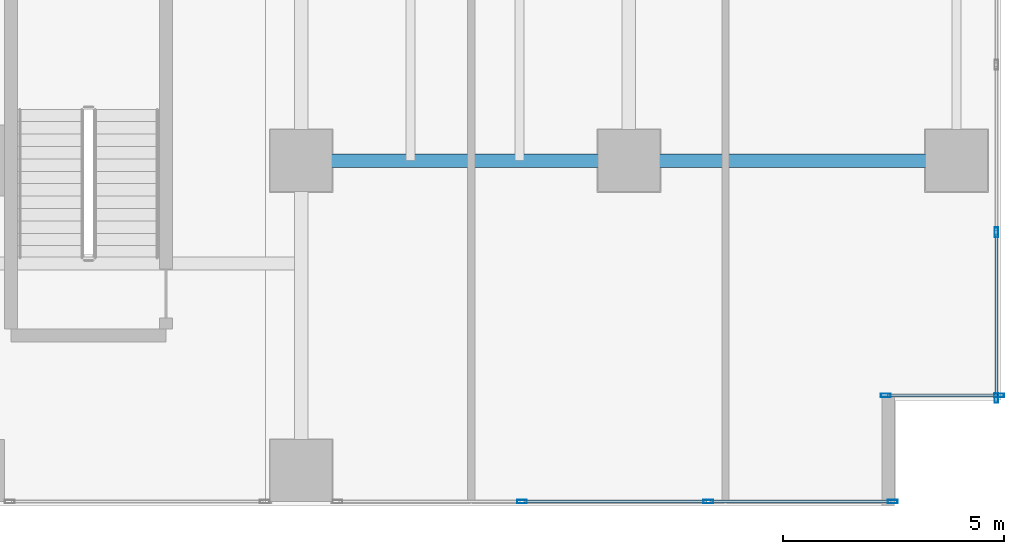
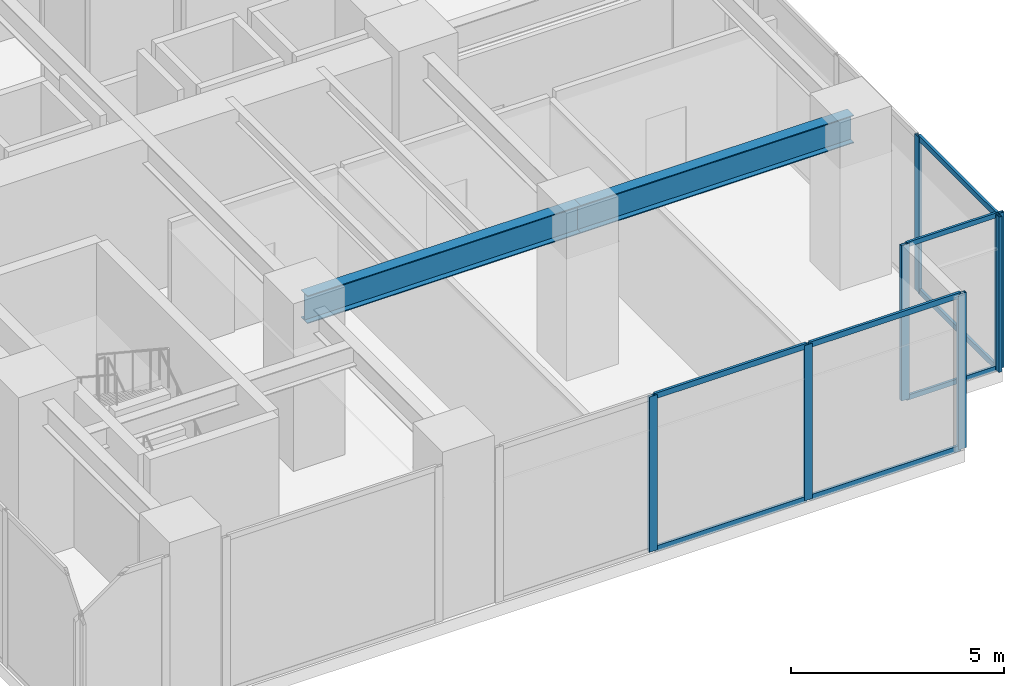
# One storey, part 18 of 33: 15 members, 2 beams, 3 elements without a shape of their own.
"""IFC4 building model written with IfcOpenShell, lengths in metres."""

from ifc_helpers import new_model, si_unit, direction, frame, origin, origin_2d, place, context, subcontext, project, spatial, hollow_rectangle, i_section, extrude, source, transform, mapped, material, layer, layer_set, material_profile, profile_set, type_object, type_shapes, element, aggregate, save


model = new_model("IFC4")

# Units and contexts
model_context = context("Model", 3, precision=1e-05, world=origin(), true_north=direction((0.0, 1.0)))
body_context = subcontext(model_context, "Body", "Model", "MODEL_VIEW")
ifc_project = project(units=[si_unit("LENGTHUNIT", "METRE"), si_unit("AREAUNIT", "SQUARE_METRE"), si_unit("VOLUMEUNIT", "CUBIC_METRE"), si_unit("PLANEANGLEUNIT", "RADIAN"), si_unit("MASSUNIT", "GRAM", prefix="KILO")], contexts=[model_context])

# Site, building, storey
site_placement = place(None, origin())
site = spatial("IfcSite", under=ifc_project, at=site_placement, CompositionType="ELEMENT")
building_placement = place(site_placement, origin())
building = spatial("IfcBuilding", under=site, at=building_placement, Name="Haelvirn Gate Laboratories", CompositionType="ELEMENT")
storey_placement = place(building_placement, frame((0.0, 0.0, 10.199951171875)))
storey = spatial("IfcBuildingStorey", under=building, at=storey_placement, Name="L03", CompositionType="ELEMENT", Elevation=10.199951171875)

# Beams
ifc_material_1 = material(Name="Steel SM420", Category="steel")
ifc_material_profile_1 = material_profile(ifc_material_1, i_section(OverallWidth=0.300048828125, OverallDepth=0.800048828125, WebThickness=0.013916015625, FlangeThickness=0.02587890625, at=origin_2d()), Name="H-800x300x14x26")
ifc_profile_set_1 = profile_set([ifc_material_profile_1], Name="Steel SM420")
beam_type = type_object("IfcBeamType", Name="BM-G-800", PredefinedType="BEAM", material=ifc_profile_set_1)
shared_shape_1 = source(origin(), body_context, "Body", "SweptSolid", [
    extrude(i_section(OverallWidth=0.300048828125, OverallDepth=0.800048828125, WebThickness=0.013916015625, FlangeThickness=0.02587890625, at=origin_2d()), origin(), (0.0, 0.0, 1.0), 7.400146484375),
])
beam_1_placement = place(storey_placement, frame((67.39990234375, 7.0, 4.050048828125), z_axis=(1.0, 0.0, 0.0), x_axis=(0.0, 1.0, 0.0)))
element("IfcBeam", 1, at=beam_1_placement, inside=storey, type_object=beam_type, Name="L03 Primary Girder Y7.0 (67.4-74.8)", PredefinedType="BEAM", context=body_context, shape_type="MappedRepresentation", body=[
    mapped(shared_shape_1, transform((0.0, 0.0, 0.0), scale=1.0)),
])
shared_shape_2 = source(origin(), body_context, "Body", "SweptSolid", [
    extrude(i_section(OverallWidth=0.300048828125, OverallDepth=0.800048828125, WebThickness=0.013916015625, FlangeThickness=0.02587890625, at=origin_2d()), origin(), (0.0, 0.0, 1.0), 7.39990234375),
])
type_shapes(beam_type, [shared_shape_1, shared_shape_2])
beam_2_placement = place(storey_placement, frame((60.0, 7.0, 4.050048828125), z_axis=(1.0, 0.0, 0.0), x_axis=(0.0, 1.0, 0.0)))
element("IfcBeam", 2, at=beam_2_placement, inside=storey, type_object=beam_type, Name="L03 Primary Girder Y7.0 (60.0-67.4)", PredefinedType="BEAM", context=body_context, shape_type="MappedRepresentation", body=[
    mapped(shared_shape_2, transform((0.0, 0.0, 0.0), scale=1.0)),
])

# Curtain wall, members
ifc_material_2 = material(Name="Anodised bronze unitised aluminium & triple low-E glass", Category="aluminium")
ifc_layer_1 = layer(ifc_material_2, 0.181884765625, Name="CW-SYS-5")
ifc_layer_set_1 = layer_set([ifc_layer_1], Name="Anodised bronze unitised aluminium & triple low-E glass")
curtain_wall_type_1 = type_object("IfcCurtainWallType", Name="CW-SYS-5", PredefinedType="NOTDEFINED", material=ifc_layer_set_1)
curtain_wall_1_placement = place(storey_placement, origin())
curtain_wall_1 = element("IfcCurtainWall", 3, at=curtain_wall_1_placement, inside=storey, type_object=curtain_wall_type_1, Name="L03 Unitised Curtain Wall CW-L03-P1-E02-1", PredefinedType="NOTDEFINED")
ifc_material_3 = material(Name="Extruded aluminium 6063-T6 (anodised bronze)", Category="aluminium")
ifc_material_profile_2 = material_profile(ifc_material_3, hollow_rectangle(XDim=0.06494140625, YDim=0.139892578125, WallThickness=0.00390625, at=origin_2d()), Name="CWT-140x65x4")
ifc_profile_set_2 = profile_set([ifc_material_profile_2], Name="Extruded aluminium 6063-T6 (anodised bronze)")
member_type_1 = type_object("IfcMemberType", Name="CWT-T140", PredefinedType="USERDEFINED", material=ifc_profile_set_2)
shared_shape_3 = source(origin(), body_context, "Body", "SweptSolid", [
    extrude(hollow_rectangle(XDim=0.06494140625, YDim=0.139892578125, WallThickness=0.00390625, at=origin_2d()), origin(), (0.0, 0.0, 1.0), 2.47998046875),
])
type_shapes(member_type_1, [shared_shape_3])
member_1_placement = place(storey_placement, frame((73.239990234375, 1.699951171875, 0.032470703125), z_axis=(1.0, 0.0, 0.0), x_axis=(0.0, 1.0, 0.0)))
member_1 = element("IfcMember", 4, at=member_1_placement, type_object=member_type_1, Name="CW5 transom 1.1", ObjectType="TRANSOM", PredefinedType="USERDEFINED", context=body_context, shape_type="MappedRepresentation", body=[
    mapped(shared_shape_3, transform((0.0, 0.0, 0.0), scale=1.0)),
])
member_2_placement = place(storey_placement, frame((73.239990234375, 1.699951171875, 4.41748046875), z_axis=(1.0, 0.0, 0.0), x_axis=(0.0, 1.0, 0.0)))
member_2 = element("IfcMember", 5, at=member_2_placement, type_object=member_type_1, Name="CW5 transom 1.2", ObjectType="TRANSOM", PredefinedType="USERDEFINED", context=body_context, shape_type="MappedRepresentation", body=[
    mapped(shared_shape_3, transform((0.0, 0.0, 0.0), scale=1.0)),
])

ifc_layer_2 = layer(ifc_material_2, 0.18798828125, Name="CW-SYS-1")
ifc_layer_set_2 = layer_set([ifc_layer_2], Name="Anodised bronze unitised aluminium & triple low-E glass")
curtain_wall_type_2 = type_object("IfcCurtainWallType", Name="CW-SYS-1", PredefinedType="NOTDEFINED", material=ifc_layer_set_2)
curtain_wall_2_placement = place(storey_placement, origin())
curtain_wall_2 = element("IfcCurtainWall", 6, at=curtain_wall_2_placement, inside=storey, type_object=curtain_wall_type_2, Name="L03 Unitised Curtain Wall CW-L03-P1-E03", PredefinedType="NOTDEFINED")
ifc_material_profile_3 = material_profile(ifc_material_3, hollow_rectangle(XDim=0.070068359375, YDim=0.159912109375, WallThickness=0.0048828125, at=origin_2d()), Name="CWT-160x70x5")
ifc_profile_set_3 = profile_set([ifc_material_profile_3], Name="Extruded aluminium 6063-T6 (anodised bronze)")
member_type_2 = type_object("IfcMemberType", Name="CWT-T160", PredefinedType="USERDEFINED", material=ifc_profile_set_3)
shared_shape_4 = source(origin(), body_context, "Body", "SweptSolid", [
    extrude(hollow_rectangle(XDim=0.070068359375, YDim=0.159912109375, WallThickness=0.0048828125, at=origin_2d()), origin(), (0.0, 0.0, 1.0), 3.663330078125),
])
member_3_placement = place(storey_placement, frame((75.699951171875, 1.679931640625, 0.03515625), z_axis=(0.0, 1.0, 0.0), x_axis=(-1.0, 0.0, 0.0)))
member_3 = element("IfcMember", 7, at=member_3_placement, type_object=member_type_2, Name="CW1 transom 1.1", ObjectType="TRANSOM", PredefinedType="USERDEFINED", context=body_context, shape_type="MappedRepresentation", body=[
    mapped(shared_shape_4, transform((0.0, 0.0, 0.0), scale=1.0)),
])
member_4_placement = place(storey_placement, frame((75.699951171875, 1.679931640625, 4.4150390625), z_axis=(0.0, 1.0, 0.0), x_axis=(-1.0, 0.0, 0.0)))
member_4 = element("IfcMember", 8, at=member_4_placement, type_object=member_type_2, Name="CW1 transom 1.2", ObjectType="TRANSOM", PredefinedType="USERDEFINED", context=body_context, shape_type="MappedRepresentation", body=[
    mapped(shared_shape_4, transform((0.0, 0.0, 0.0), scale=1.0)),
])

curtain_wall_3_placement = place(storey_placement, origin())
curtain_wall_3 = element("IfcCurtainWall", 9, at=curtain_wall_3_placement, inside=storey, type_object=curtain_wall_type_2, Name="L03 Unitised Curtain Wall CW-L03-P1-E00-1-S3", PredefinedType="NOTDEFINED")
shared_shape_5 = source(origin(), body_context, "Body", "SweptSolid", [
    extrude(hollow_rectangle(XDim=0.070068359375, YDim=0.159912109375, WallThickness=0.0048828125, at=origin_2d()), origin(), (0.0, 0.0, 1.0), 4.086669921875),
])
member_5_placement = place(storey_placement, frame((69.2333984375, -0.699951171875, 0.03515625), z_axis=(1.0, 0.0, 0.0), x_axis=(0.0, 1.0, 0.0)))
member_5 = element("IfcMember", 10, at=member_5_placement, type_object=member_type_2, Name="CW1 transom 3.1", ObjectType="TRANSOM", PredefinedType="USERDEFINED", context=body_context, shape_type="MappedRepresentation", body=[
    mapped(shared_shape_5, transform((0.0, 0.0, 0.0), scale=1.0)),
])
member_6_placement = place(storey_placement, frame((69.2333984375, -0.699951171875, 4.4150390625), z_axis=(1.0, 0.0, 0.0), x_axis=(0.0, 1.0, 0.0)))
member_6 = element("IfcMember", 11, at=member_6_placement, type_object=member_type_2, Name="CW1 transom 3.2", ObjectType="TRANSOM", PredefinedType="USERDEFINED", context=body_context, shape_type="MappedRepresentation", body=[
    mapped(shared_shape_5, transform((0.0, 0.0, 0.0), scale=1.0)),
])
shared_shape_6 = source(origin(), body_context, "Body", "SweptSolid", [
    extrude(hollow_rectangle(XDim=0.070068359375, YDim=0.159912109375, WallThickness=0.0048828125, at=origin_2d()), origin(), (0.0, 0.0, 1.0), 4.126708984375),
])
type_shapes(member_type_2, [shared_shape_4, shared_shape_5, shared_shape_6])
member_7_placement = place(storey_placement, frame((65.026611328125, -0.699951171875, 0.03515625), z_axis=(1.0, 0.0, 0.0), x_axis=(0.0, 1.0, 0.0)))
member_7 = element("IfcMember", 12, at=member_7_placement, type_object=member_type_2, Name="CW1 transom 2.1", ObjectType="TRANSOM", PredefinedType="USERDEFINED", context=body_context, shape_type="MappedRepresentation", body=[
    mapped(shared_shape_6, transform((0.0, 0.0, 0.0), scale=1.0)),
])
member_8_placement = place(storey_placement, frame((65.026611328125, -0.699951171875, 4.4150390625), z_axis=(1.0, 0.0, 0.0), x_axis=(0.0, 1.0, 0.0)))
member_8 = element("IfcMember", 13, at=member_8_placement, type_object=member_type_2, Name="CW1 transom 2.2", ObjectType="TRANSOM", PredefinedType="USERDEFINED", context=body_context, shape_type="MappedRepresentation", body=[
    mapped(shared_shape_6, transform((0.0, 0.0, 0.0), scale=1.0)),
])
ifc_material_profile_4 = material_profile(ifc_material_3, hollow_rectangle(XDim=0.080078125, YDim=0.219970703125, WallThickness=0.006103515625, at=origin_2d()), Name="CWM-220x80x6")
ifc_profile_set_4 = profile_set([ifc_material_profile_4], Name="Extruded aluminium 6063-T6 (anodised bronze)")
member_type_3 = type_object("IfcMemberType", Name="CWM-T220", PredefinedType="MULLION", material=ifc_profile_set_4)
shared_shape_7 = source(origin(), body_context, "Body", "SweptSolid", [
    extrude(hollow_rectangle(XDim=0.080078125, YDim=0.219970703125, WallThickness=0.006103515625, at=origin_2d()), origin(), (0.0, 0.0, 1.0), 4.449951171875),
])
type_shapes(member_type_3, [shared_shape_7])
member_9_placement = place(storey_placement, frame((64.986572265625, -0.699951171875, 0.0), z_axis=(0.0, 0.0, 1.0), x_axis=(0.0, 1.0, 0.0)))
member_9 = element("IfcMember", 14, at=member_9_placement, type_object=member_type_3, Name="CW1 mullion 2", PredefinedType="MULLION", context=body_context, shape_type="MappedRepresentation", body=[
    mapped(shared_shape_7, transform((0.0, 0.0, 0.0), scale=1.0)),
])
member_10_placement = place(storey_placement, frame((69.193359375, -0.699951171875, 0.0), z_axis=(0.0, 0.0, 1.0), x_axis=(0.0, 1.0, 0.0)))
member_10 = element("IfcMember", 15, at=member_10_placement, type_object=member_type_3, Name="CW1 mullion 3", PredefinedType="MULLION", context=body_context, shape_type="MappedRepresentation", body=[
    mapped(shared_shape_7, transform((0.0, 0.0, 0.0), scale=1.0)),
])
member_11_placement = place(storey_placement, frame((73.360107421875, -0.699951171875, 0.0), z_axis=(0.0, 0.0, 1.0), x_axis=(0.0, 1.0, 0.0)))
member_11 = element("IfcMember", 16, at=member_11_placement, type_object=member_type_3, Name="CW1 mullion 4", PredefinedType="MULLION", context=body_context, shape_type="MappedRepresentation", body=[
    mapped(shared_shape_7, transform((0.0, 0.0, 0.0), scale=1.0)),
])
aggregate(curtain_wall_3, [member_9, member_10, member_11, member_7, member_8, member_5, member_6])

# Member
member_12_placement = place(storey_placement, frame((73.199951171875, 1.699951171875, 0.0), z_axis=(0.0, 0.0, 1.0), x_axis=(0.0, 1.0, 0.0)))
member_12 = element("IfcMember", 17, at=member_12_placement, type_object=member_type_3, Name="CW5 mullion 1", PredefinedType="MULLION", context=body_context, shape_type="MappedRepresentation", body=[
    mapped(shared_shape_7, transform((0.0, 0.0, 0.0), scale=1.0)),
])

member_13_placement = place(storey_placement, frame((75.760009765625, 1.699951171875, 0.0), z_axis=(0.0, 0.0, 1.0), x_axis=(0.0, 1.0, 0.0)))
member_13 = element("IfcMember", 18, at=member_13_placement, type_object=member_type_3, Name="CW5 mullion 2", PredefinedType="MULLION", context=body_context, shape_type="MappedRepresentation", body=[
    mapped(shared_shape_7, transform((0.0, 0.0, 0.0), scale=1.0)),
])

aggregate(curtain_wall_1, [member_12, member_13, member_1, member_2])

member_14_placement = place(storey_placement, frame((75.699951171875, 1.639892578125, 0.0), z_axis=(0.0, 0.0, 1.0), x_axis=(-1.0, 0.0, 0.0)))
member_14 = element("IfcMember", 19, at=member_14_placement, type_object=member_type_3, Name="CW1 mullion 1", PredefinedType="MULLION", context=body_context, shape_type="MappedRepresentation", body=[
    mapped(shared_shape_7, transform((0.0, 0.0, 0.0), scale=1.0)),
])

member_15_placement = place(storey_placement, frame((75.699951171875, 5.38330078125, 0.0), z_axis=(0.0, 0.0, 1.0), x_axis=(-1.0, 0.0, 0.0)))
member_15 = element("IfcMember", 20, at=member_15_placement, type_object=member_type_3, Name="CW1 mullion 2", PredefinedType="MULLION", context=body_context, shape_type="MappedRepresentation", body=[
    mapped(shared_shape_7, transform((0.0, 0.0, 0.0), scale=1.0)),
])

aggregate(curtain_wall_2, [member_14, member_15, member_3, member_4])

save(model, "model.ifc")
